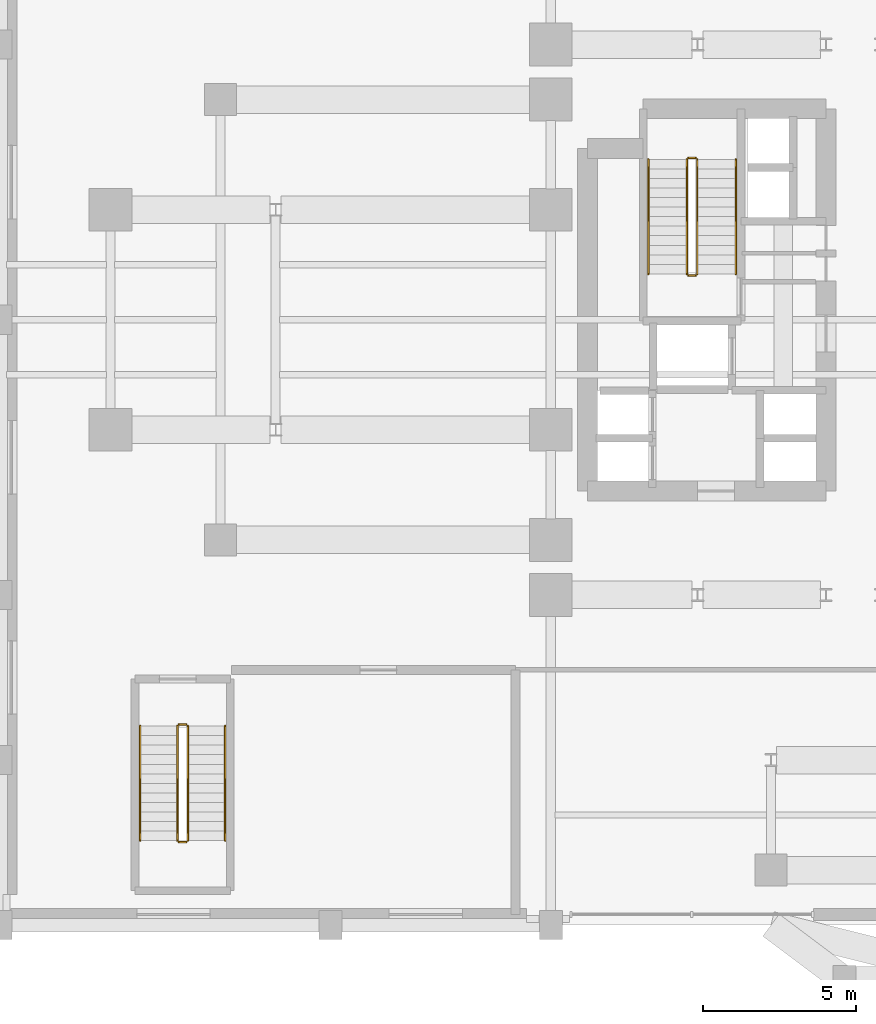
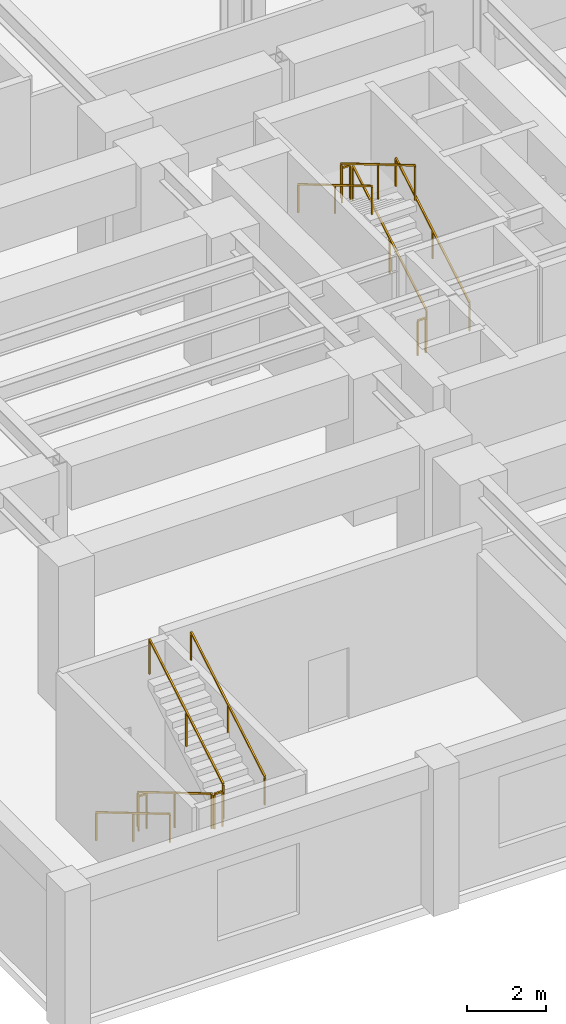
# One storey, part 13 of 14: 12 railings.
"""IFC4 building model written with IfcOpenShell, lengths in metres."""

from ifc_helpers import new_model, si_unit, direction, frame, origin, origin_2d, place, context, subcontext, project, spatial, rectangle, extrude, material, type_object, element, save


model = new_model("IFC4")

# Units and contexts
model_context = context("Model", 3, precision=1e-05, world=origin(), true_north=direction((0.0, 1.0)))
body_context = subcontext(model_context, "Body", "Model", "MODEL_VIEW")
ifc_project = project(units=[si_unit("LENGTHUNIT", "METRE"), si_unit("AREAUNIT", "SQUARE_METRE"), si_unit("VOLUMEUNIT", "CUBIC_METRE"), si_unit("PLANEANGLEUNIT", "RADIAN"), si_unit("MASSUNIT", "GRAM", prefix="KILO")], contexts=[model_context])

# Site, building, storey
site_placement = place(None, origin())
site = spatial("IfcSite", under=ifc_project, at=site_placement, CompositionType="ELEMENT")
building_placement = place(site_placement, origin())
building = spatial("IfcBuilding", under=site, at=building_placement, Name="Keilestroom Media Tower", CompositionType="ELEMENT")
storey_placement = place(building_placement, frame((0.0, 0.0, 15.60009765625)))
storey = spatial("IfcBuildingStorey", under=building, at=storey_placement, Name="L03", CompositionType="ELEMENT", Elevation=15.60009765625)

# Railings
ifc_material_1 = material(Name="Brushed Stainless Steel 1.4301", Category="steel")
railing_type_1 = type_object("IfcRailingType", Name="Stair-Pitch-Handrail-920", PredefinedType="HANDRAIL", material=ifc_material_1)
railing_1_placement = place(storey_placement, frame((-8.35009765625, 1.5, 0.1845703125)))
element("IfcRailing", 1, at=railing_1_placement, inside=storey, type_object=railing_type_1, Name="L03 ST-1 stair handrail 1", PredefinedType="HANDRAIL", context=body_context, shape_type="SweptSolid", body=[
    extrude(rectangle(XDim=0.048095703125, YDim=0.048095703125, at=origin_2d()), frame((0.0, 0.0, 0.8759765625), z_axis=(0.0, 0.860621358501, 0.509245399872), x_axis=(-1.0, 0.0, 0.0)), (0.0, 0.0, 1.0), 4.350341796875),
    extrude(rectangle(XDim=0.0419921875, YDim=0.0419921875, at=origin_2d()), origin(), (0.0, 0.0, 1.0), 0.84375),
    extrude(rectangle(XDim=0.0419921875, YDim=0.0419921875, at=origin_2d()), frame((0.0, 1.8720703125, 1.107666015625)), (0.0, 0.0, 1.0), 0.84375),
    extrude(rectangle(XDim=0.0419921875, YDim=0.0419921875, at=origin_2d()), frame((0.0, 3.743896484375, 2.21533203125)), (0.0, 0.0, 1.0), 0.84375),
])
for number, where, name in (
    (2, (-11.2099609375, 5.243896484375, 2.58447265625), "L03 ST-1 stair handrail 2"),
    (3, (-27.830078125, -13.2900390625, 0.1845703125), "L03 ST-3 stair handrail 1"),
):
    element("IfcRailing", number, at=place(storey_placement, frame(where)), inside=storey, type_object=railing_type_1, Name=name, PredefinedType="HANDRAIL", context=body_context, shape_type="SweptSolid", body=[
        extrude(rectangle(XDim=0.048095703125, YDim=0.048095703125, at=origin_2d()), frame((0.0, 0.0, 0.8759765625), z_axis=(0.0, -0.860621358501, 0.509245399872), x_axis=(1.0, 0.0, 0.0)), (0.0, 0.0, 1.0), 4.350341796875),
        extrude(rectangle(XDim=0.0419921875, YDim=0.0419921875, at=origin_2d()), origin(), (0.0, 0.0, 1.0), 0.84375),
        extrude(rectangle(XDim=0.0419921875, YDim=0.0419921875, at=origin_2d()), frame((0.0, -1.8720703125, 1.107666015625)), (0.0, 0.0, 1.0), 0.84375),
        extrude(rectangle(XDim=0.0419921875, YDim=0.0419921875, at=origin_2d()), frame((0.0, -3.743896484375, 2.21533203125)), (0.0, 0.0, 1.0), 0.84375),
    ])
railing_2_placement = place(storey_placement, frame((-25.050048828125, -17.033935546875, 2.58447265625)))
element("IfcRailing", 4, at=railing_2_placement, inside=storey, type_object=railing_type_1, Name="L03 ST-3 stair handrail 2", PredefinedType="HANDRAIL", context=body_context, shape_type="SweptSolid", body=[
    extrude(rectangle(XDim=0.048095703125, YDim=0.048095703125, at=origin_2d()), frame((0.0, 0.0, 0.8759765625), z_axis=(0.0, 0.860621358501, 0.509245399872), x_axis=(-1.0, 0.0, 0.0)), (0.0, 0.0, 1.0), 4.350341796875),
    extrude(rectangle(XDim=0.0419921875, YDim=0.0419921875, at=origin_2d()), origin(), (0.0, 0.0, 1.0), 0.84375),
    extrude(rectangle(XDim=0.0419921875, YDim=0.0419921875, at=origin_2d()), frame((0.0, 1.8720703125, 1.107666015625)), (0.0, 0.0, 1.0), 0.84375),
    extrude(rectangle(XDim=0.0419921875, YDim=0.0419921875, at=origin_2d()), frame((0.0, 3.743896484375, 2.21533203125)), (0.0, 0.0, 1.0), 0.84375),
])
ifc_material_2 = material(Name="Painted Steel Balustrade", Category="steel")
railing_type_2 = type_object("IfcRailingType", Name="Stair-Well-And-Landing-Guard-1100", PredefinedType="GUARDRAIL", material=ifc_material_2)
railing_3_placement = place(storey_placement, frame((-9.610107421875, 1.5, 0.1845703125)))
element("IfcRailing", 5, at=railing_3_placement, inside=storey, type_object=railing_type_2, Name="L03 ST-1 stair guard 1", PredefinedType="GUARDRAIL", context=body_context, shape_type="SweptSolid", body=[
    extrude(rectangle(XDim=0.048095703125, YDim=0.048095703125, at=origin_2d()), frame((0.0, 0.0, 1.076171875), z_axis=(0.0, 0.860621358501, 0.509245399872), x_axis=(-1.0, 0.0, 0.0)), (0.0, 0.0, 1.0), 4.350341796875),
    extrude(rectangle(XDim=0.0419921875, YDim=0.0419921875, at=origin_2d()), origin(), (0.0, 0.0, 1.0), 1.0439453125),
    extrude(rectangle(XDim=0.0419921875, YDim=0.0419921875, at=origin_2d()), frame((0.0, 1.8720703125, 1.107666015625)), (0.0, 0.0, 1.0), 1.0439453125),
    extrude(rectangle(XDim=0.0419921875, YDim=0.0419921875, at=origin_2d()), frame((0.0, 3.743896484375, 2.21533203125)), (0.0, 0.0, 1.0), 1.0439453125),
])
railing_4_placement = place(storey_placement, frame((-9.659912109375, 5.2939453125, 2.39990234375)))
element("IfcRailing", 6, at=railing_4_placement, inside=storey, type_object=railing_type_2, Name="L03 ST-1 stair guard 2", PredefinedType="GUARDRAIL", context=body_context, shape_type="SweptSolid", body=[
    extrude(rectangle(XDim=0.048095703125, YDim=0.048095703125, at=origin_2d()), frame((0.0, 0.0, 1.076171875), z_axis=(-1.0, 0.0, 0.0), x_axis=(0.0, -1.0, 0.0)), (0.0, 0.0, 1.0), 0.239990234375),
    extrude(rectangle(XDim=0.0419921875, YDim=0.0419921875, at=origin_2d()), origin(), (0.0, 0.0, 1.0), 1.0439453125),
    extrude(rectangle(XDim=0.0419921875, YDim=0.0419921875, at=origin_2d()), frame((-0.239990234375, 0.0, 0.0)), (0.0, 0.0, 1.0), 1.0439453125),
])
railing_5_placement = place(storey_placement, frame((-9.949951171875, 5.243896484375, 2.58447265625)))
element("IfcRailing", 7, at=railing_5_placement, inside=storey, type_object=railing_type_2, Name="L03 ST-1 stair guard 3", PredefinedType="GUARDRAIL", context=body_context, shape_type="SweptSolid", body=[
    extrude(rectangle(XDim=0.048095703125, YDim=0.048095703125, at=origin_2d()), frame((0.0, 0.0, 1.076171875), z_axis=(0.0, -0.860621358501, 0.509245399872), x_axis=(1.0, 0.0, 0.0)), (0.0, 0.0, 1.0), 4.350341796875),
    extrude(rectangle(XDim=0.0419921875, YDim=0.0419921875, at=origin_2d()), origin(), (0.0, 0.0, 1.0), 1.0439453125),
    extrude(rectangle(XDim=0.0419921875, YDim=0.0419921875, at=origin_2d()), frame((0.0, -1.8720703125, 1.107666015625)), (0.0, 0.0, 1.0), 1.0439453125),
    extrude(rectangle(XDim=0.0419921875, YDim=0.0419921875, at=origin_2d()), frame((0.0, -3.743896484375, 2.21533203125)), (0.0, 0.0, 1.0), 1.0439453125),
])
railing_6_placement = place(storey_placement, frame((-9.659912109375, 1.449951171875, 0.0)))
element("IfcRailing", 8, at=railing_6_placement, inside=storey, type_object=railing_type_2, Name="L03 ST-1 stair guard 4", PredefinedType="GUARDRAIL", context=body_context, shape_type="SweptSolid", body=[
    extrude(rectangle(XDim=0.048095703125, YDim=0.048095703125, at=origin_2d()), frame((0.0, 0.0, 1.076171875), z_axis=(-1.0, 0.0, 0.0), x_axis=(0.0, -1.0, 0.0)), (0.0, 0.0, 1.0), 0.239990234375),
    extrude(rectangle(XDim=0.0419921875, YDim=0.0419921875, at=origin_2d()), origin(), (0.0, 0.0, 1.0), 1.0439453125),
    extrude(rectangle(XDim=0.0419921875, YDim=0.0419921875, at=origin_2d()), frame((-0.239990234375, 0.0, 0.0)), (0.0, 0.0, 1.0), 1.0439453125),
])
railing_7_placement = place(storey_placement, frame((-26.610107421875, -13.2900390625, 0.1845703125)))
element("IfcRailing", 9, at=railing_7_placement, inside=storey, type_object=railing_type_2, Name="L03 ST-3 stair guard 1", PredefinedType="GUARDRAIL", context=body_context, shape_type="SweptSolid", body=[
    extrude(rectangle(XDim=0.048095703125, YDim=0.048095703125, at=origin_2d()), frame((0.0, 0.0, 1.076171875), z_axis=(0.0, -0.860621358501, 0.509245399872), x_axis=(1.0, 0.0, 0.0)), (0.0, 0.0, 1.0), 4.350341796875),
    extrude(rectangle(XDim=0.0419921875, YDim=0.0419921875, at=origin_2d()), origin(), (0.0, 0.0, 1.0), 1.0439453125),
    extrude(rectangle(XDim=0.0419921875, YDim=0.0419921875, at=origin_2d()), frame((0.0, -1.8720703125, 1.107666015625)), (0.0, 0.0, 1.0), 1.0439453125),
    extrude(rectangle(XDim=0.0419921875, YDim=0.0419921875, at=origin_2d()), frame((0.0, -3.743896484375, 2.21533203125)), (0.0, 0.0, 1.0), 1.0439453125),
])
railing_8_placement = place(storey_placement, frame((-26.56005859375, -17.083984375, 2.39990234375)))
element("IfcRailing", 10, at=railing_8_placement, inside=storey, type_object=railing_type_2, Name="L03 ST-3 stair guard 2", PredefinedType="GUARDRAIL", context=body_context, shape_type="SweptSolid", body=[
    extrude(rectangle(XDim=0.048095703125, YDim=0.048095703125, at=origin_2d()), frame((0.0, 0.0, 1.076171875), z_axis=(1.0, 0.0, 0.0), x_axis=(0.0, 1.0, 0.0)), (0.0, 0.0, 1.0), 0.239990234375),
    extrude(rectangle(XDim=0.0419921875, YDim=0.0419921875, at=origin_2d()), origin(), (0.0, 0.0, 1.0), 1.0439453125),
    extrude(rectangle(XDim=0.0419921875, YDim=0.0419921875, at=origin_2d()), frame((0.239990234375, 0.0, 0.0)), (0.0, 0.0, 1.0), 1.0439453125),
])
railing_9_placement = place(storey_placement, frame((-26.27001953125, -17.033935546875, 2.58447265625)))
element("IfcRailing", 11, at=railing_9_placement, inside=storey, type_object=railing_type_2, Name="L03 ST-3 stair guard 3", PredefinedType="GUARDRAIL", context=body_context, shape_type="SweptSolid", body=[
    extrude(rectangle(XDim=0.048095703125, YDim=0.048095703125, at=origin_2d()), frame((0.0, 0.0, 1.076171875), z_axis=(0.0, 0.860621358501, 0.509245399872), x_axis=(-1.0, 0.0, 0.0)), (0.0, 0.0, 1.0), 4.350341796875),
    extrude(rectangle(XDim=0.0419921875, YDim=0.0419921875, at=origin_2d()), origin(), (0.0, 0.0, 1.0), 1.0439453125),
    extrude(rectangle(XDim=0.0419921875, YDim=0.0419921875, at=origin_2d()), frame((0.0, 1.8720703125, 1.107666015625)), (0.0, 0.0, 1.0), 1.0439453125),
    extrude(rectangle(XDim=0.0419921875, YDim=0.0419921875, at=origin_2d()), frame((0.0, 3.743896484375, 2.21533203125)), (0.0, 0.0, 1.0), 1.0439453125),
])
railing_10_placement = place(storey_placement, frame((-26.56005859375, -13.239990234375, 0.0)))
element("IfcRailing", 12, at=railing_10_placement, inside=storey, type_object=railing_type_2, Name="L03 ST-3 stair guard 4", PredefinedType="GUARDRAIL", context=body_context, shape_type="SweptSolid", body=[
    extrude(rectangle(XDim=0.048095703125, YDim=0.048095703125, at=origin_2d()), frame((0.0, 0.0, 1.076171875), z_axis=(1.0, 0.0, 0.0), x_axis=(0.0, 1.0, 0.0)), (0.0, 0.0, 1.0), 0.239990234375),
    extrude(rectangle(XDim=0.0419921875, YDim=0.0419921875, at=origin_2d()), origin(), (0.0, 0.0, 1.0), 1.0439453125),
    extrude(rectangle(XDim=0.0419921875, YDim=0.0419921875, at=origin_2d()), frame((0.239990234375, 0.0, 0.0)), (0.0, 0.0, 1.0), 1.0439453125),
])

save(model, "model.ifc")
